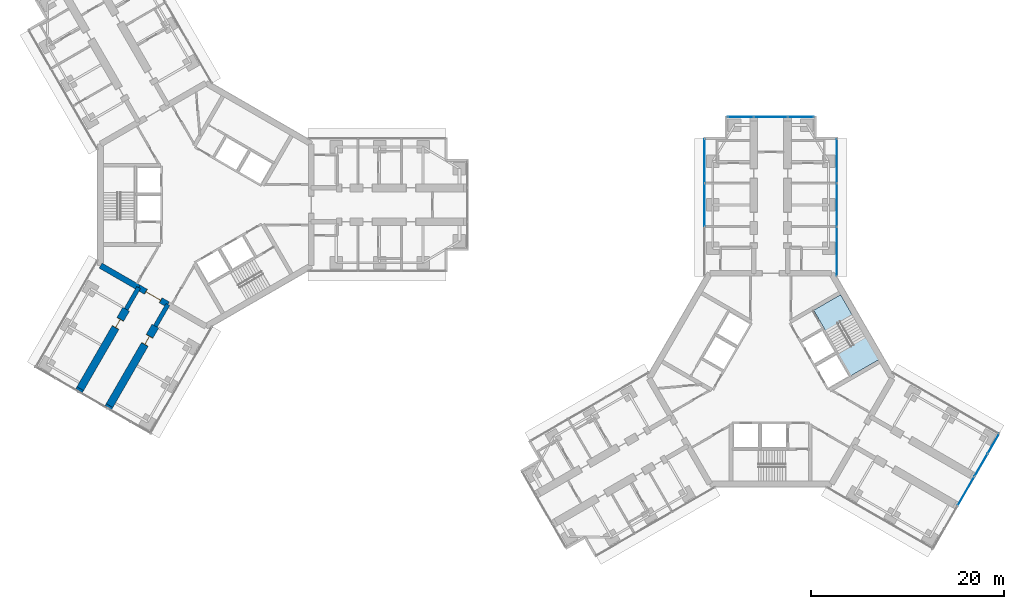
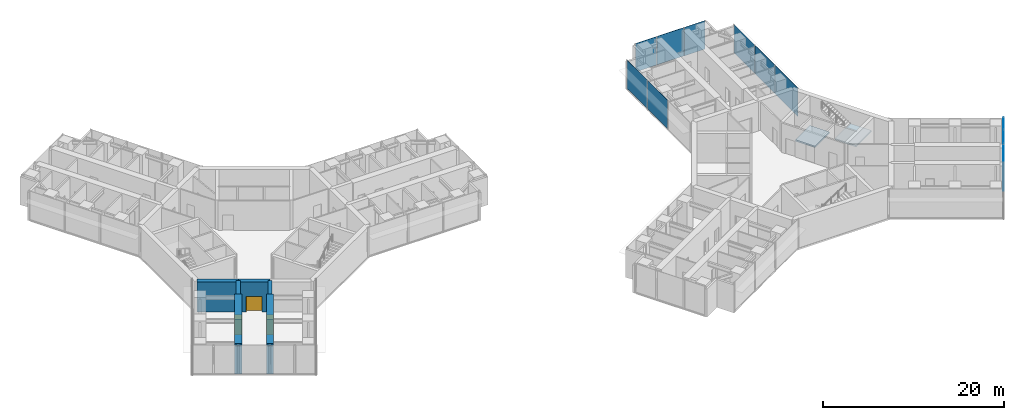
# One storey, part 14 of 22: 11 plates, 8 walls, 3 doors, 2 slabs, 3 openings, 5 elements without a shape of their own.
"""IFC4 building model written with IfcOpenShell, lengths in metres."""

from ifc_helpers import new_model, si_unit, direction, frame, frame_2d, origin, origin_2d, place, context, subcontext, project, spatial, polyline, rectangle, outline, extrude, material, layer, layer_set, type_object, element, fill, aggregate, save


model = new_model("IFC4")

# Units and contexts
model_context = context("Model", 3, precision=1e-05, world=origin(), true_north=direction((0.0, 1.0)))
body_context = subcontext(model_context, "Body", "Model", "MODEL_VIEW")
ifc_project = project(units=[si_unit("LENGTHUNIT", "METRE"), si_unit("AREAUNIT", "SQUARE_METRE"), si_unit("VOLUMEUNIT", "CUBIC_METRE"), si_unit("PLANEANGLEUNIT", "RADIAN"), si_unit("MASSUNIT", "GRAM", prefix="KILO")], contexts=[model_context])

# Site, building, storey
site_placement = place(None, origin())
site = spatial("IfcSite", under=ifc_project, at=site_placement, CompositionType="ELEMENT")
building_placement = place(site_placement, origin())
building = spatial("IfcBuilding", under=site, at=building_placement, Name="Upepo Twin Towers", CompositionType="ELEMENT")
storey_placement = place(building_placement, frame((0.0, 0.0, 133.5)))
storey = spatial("IfcBuildingStorey", under=building, at=storey_placement, Name="L32", CompositionType="ELEMENT", Elevation=133.5)

# Curtain wall, plates
ifc_material_1 = material(Name="Aluminium and fritted glass", Category="aluminium")
curtain_wall_type = type_object("IfcCurtainWallType", Name="Tower curtain wall TW2, fritted glass", PredefinedType="NOTDEFINED", material=ifc_material_1)
curtain_wall_1_placement = place(storey_placement, origin())
curtain_wall_1 = element("IfcCurtainWall", 1, at=curtain_wall_1_placement, inside=storey, type_object=curtain_wall_type, Name="T2 L32 wing A flank L curtain wall", PredefinedType="NOTDEFINED")
ifc_material_2 = material(Name="Ceramic-fritted laminated glass", Category="glass")
ifc_layer_1 = layer(ifc_material_2, 0.031982421875)
ifc_layer_set_1 = layer_set([ifc_layer_1], Name="Fritted glass panel, 40 per cent dot frit, 32 mm double glazed")
plate_type_1 = type_object("IfcPlateType", Name="Fritted glass panel, 40 per cent dot frit, 32 mm double glazed", PredefinedType="CURTAIN_PANEL", material=ifc_layer_set_1)
plate_1_placement = place(storey_placement, frame((51.64990234375, 0.0, 0.14990234375), z_axis=(0.0, 0.0, 1.0), x_axis=(0.0, 1.0, 0.0)))
plate_1 = element("IfcPlate", 2, at=plate_1_placement, type_object=plate_type_1, Name="T2 L32 wing A flank L curtain wall panel 2", PredefinedType="CURTAIN_PANEL", context=body_context, shape_type="SweptSolid", body=[
    extrude(rectangle(XDim=4.43505859375, YDim=0.031982421875, at=origin_2d()), origin(), (0.0, 0.0, 1.0), 3.85009765625),
])
plate_2_placement = place(storey_placement, frame((51.64990234375, 4.53369140625, 0.14990234375), z_axis=(0.0, 0.0, 1.0), x_axis=(0.0, 1.0, 0.0)))
plate_2 = element("IfcPlate", 3, at=plate_2_placement, type_object=plate_type_1, Name="T2 L32 wing A flank L curtain wall panel 3", PredefinedType="CURTAIN_PANEL", context=body_context, shape_type="SweptSolid", body=[
    extrude(rectangle(XDim=4.50244140625, YDim=0.031982421875, at=origin_2d()), origin(), (0.0, 0.0, 1.0), 3.85009765625),
])
aggregate(curtain_wall_1, [plate_1, plate_2])

curtain_wall_2_placement = place(storey_placement, origin())
curtain_wall_2 = element("IfcCurtainWall", 4, at=curtain_wall_2_placement, inside=storey, type_object=curtain_wall_type, Name="T2 L32 wing A flank R curtain wall", PredefinedType="NOTDEFINED")
plate_3_placement = place(storey_placement, frame((65.35009765625, 4.53369140625, 0.14990234375), z_axis=(0.0, 0.0, 1.0), x_axis=(0.0, -1.0, 0.0)))
plate_3 = element("IfcPlate", 5, at=plate_3_placement, type_object=plate_type_1, Name="T2 L32 wing A flank R curtain wall panel 1", PredefinedType="CURTAIN_PANEL", context=body_context, shape_type="SweptSolid", body=[
    extrude(rectangle(XDim=4.50244140625, YDim=0.031982421875, at=origin_2d()), origin(), (0.0, 0.0, 1.0), 3.85009765625),
])
plate_4_placement = place(storey_placement, frame((65.35009765625, 0.0, 0.14990234375), z_axis=(0.0, 0.0, 1.0), x_axis=(0.0, -1.0, 0.0)))
plate_4 = element("IfcPlate", 6, at=plate_4_placement, type_object=plate_type_1, Name="T2 L32 wing A flank R curtain wall panel 2", PredefinedType="CURTAIN_PANEL", context=body_context, shape_type="SweptSolid", body=[
    extrude(rectangle(XDim=4.43505859375, YDim=0.031982421875, at=origin_2d()), origin(), (0.0, 0.0, 1.0), 3.85009765625),
])
plate_5_placement = place(storey_placement, frame((65.35009765625, -4.815185546875, 0.14990234375), z_axis=(0.0, 0.0, 1.0), x_axis=(0.0, -1.0, 0.0)))
plate_5 = element("IfcPlate", 7, at=plate_5_placement, type_object=plate_type_1, Name="T2 L32 wing A flank R curtain wall panel 3", PredefinedType="CURTAIN_PANEL", context=body_context, shape_type="SweptSolid", body=[
    extrude(rectangle(XDim=5.0654296875, YDim=0.031982421875, at=origin_2d()), origin(), (0.0, 0.0, 1.0), 3.85009765625),
])
aggregate(curtain_wall_2, [plate_3, plate_4, plate_5])

# Curtain wall, plate
curtain_wall_3_placement = place(storey_placement, origin())
curtain_wall_3 = element("IfcCurtainWall", 8, at=curtain_wall_3_placement, inside=storey, type_object=curtain_wall_type, Name="T2 L32 wing A nose curtain wall", PredefinedType="NOTDEFINED")
plate_6_placement = place(storey_placement, frame((58.5, 9.10009765625, 0.14990234375), z_axis=(0.0, 0.0, 1.0), x_axis=(-1.0, 0.0, 0.0)))
plate_6 = element("IfcPlate", 9, at=plate_6_placement, type_object=plate_type_1, Name="T2 L32 wing A nose curtain wall panel 2", PredefinedType="CURTAIN_PANEL", context=body_context, shape_type="SweptSolid", body=[
    extrude(rectangle(XDim=3.43505859375, YDim=0.031982421875, at=origin_2d()), origin(), (0.0, 0.0, 1.0), 3.85009765625),
])

# Curtain wall, plates
curtain_wall_4_placement = place(storey_placement, origin())
curtain_wall_4 = element("IfcCurtainWall", 10, at=curtain_wall_4_placement, inside=storey, type_object=curtain_wall_type, Name="T2 L32 wing C nose curtain wall", PredefinedType="NOTDEFINED")
plate_7_placement = place(storey_placement, frame((78.7216796875, -29.675048828125, 0.14990234375), z_axis=(0.0, 0.0, 1.0), x_axis=(0.499999972355, 0.866025419745, 0.0)))
plate_7 = element("IfcPlate", 11, at=plate_7_placement, type_object=plate_type_1, Name="T2 L32 wing C nose curtain wall panel 3", PredefinedType="CURTAIN_PANEL", context=body_context, shape_type="SweptSolid", body=[
    extrude(rectangle(XDim=3.43505859375, YDim=0.031982421875, at=origin_2d()), origin(), (0.0, 0.0, 1.0), 3.85009765625),
])
plate_8_placement = place(storey_placement, frame((80.2841796875, -26.96875, 0.14990234375), z_axis=(0.0, 0.0, 1.0), x_axis=(0.499999972355, 0.866025419745, 0.0)))
plate_8 = element("IfcPlate", 12, at=plate_8_placement, type_object=plate_type_1, Name="T2 L32 wing C nose curtain wall panel 4", PredefinedType="CURTAIN_PANEL", context=body_context, shape_type="SweptSolid", body=[
    extrude(rectangle(XDim=2.68505859375, YDim=0.031982421875, at=origin_2d()), origin(), (0.0, 0.0, 1.0), 3.85009765625),
])

# Plate
ifc_material_3 = material(Name="Clear laminated glass in opening sash", Category="glass")
ifc_layer_2 = layer(ifc_material_3, 0.031982421875)
ifc_layer_set_2 = layer_set([ifc_layer_2], Name="Operable glass panel, 32 mm double glazed")
plate_type_2 = type_object("IfcPlateType", Name="Operable glass panel, 32 mm double glazed", PredefinedType="CURTAIN_PANEL", material=ifc_layer_set_2)
plate_9_placement = place(storey_placement, frame((61.608642578125, 9.10009765625, 0.14990234375), z_axis=(0.0, 0.0, 1.0), x_axis=(-1.0, 0.0, 0.0)))
plate_9 = element("IfcPlate", 13, at=plate_9_placement, type_object=plate_type_2, Name="T2 L32 wing A nose curtain wall panel 1", PredefinedType="CURTAIN_PANEL", context=body_context, shape_type="SweptSolid", body=[
    extrude(rectangle(XDim=2.652587890625, YDim=0.031982421875, at=origin_2d()), origin(), (0.0, 0.0, 1.0), 3.85009765625),
])

plate_10_placement = place(storey_placement, frame((55.391357421875, 9.10009765625, 0.14990234375), z_axis=(0.0, 0.0, 1.0), x_axis=(-1.0, 0.0, 0.0)))
plate_10 = element("IfcPlate", 14, at=plate_10_placement, type_object=plate_type_2, Name="T2 L32 wing A nose curtain wall panel 3", PredefinedType="CURTAIN_PANEL", context=body_context, shape_type="SweptSolid", body=[
    extrude(rectangle(XDim=2.652587890625, YDim=0.031982421875, at=origin_2d()), origin(), (0.0, 0.0, 1.0), 3.85009765625),
])

aggregate(curtain_wall_3, [plate_9, plate_6, plate_10])

plate_11_placement = place(storey_placement, frame((81.576171875, -24.73095703125, 0.14990234375), z_axis=(0.0, 0.0, 1.0), x_axis=(0.499999972355, 0.866025419745, 0.0)))
plate_11 = element("IfcPlate", 15, at=plate_11_placement, type_object=plate_type_2, Name="T2 L32 wing C nose curtain wall panel 5", PredefinedType="CURTAIN_PANEL", context=body_context, shape_type="SweptSolid", body=[
    extrude(rectangle(XDim=2.3525390625, YDim=0.031982421875, at=origin_2d()), origin(), (0.0, 0.0, 1.0), 3.85009765625),
])

aggregate(curtain_wall_4, [plate_7, plate_8, plate_11])

# Stair, slabs
ifc_material_4 = material(Name="Concrete C40/50", Category="concrete")
stair_type = type_object("IfcStairType", Name="Core stair, two flights", PredefinedType="HALF_TURN_STAIR", material=ifc_material_4)
stair_placement = place(storey_placement, origin())
stair = element("IfcStair", 16, at=stair_placement, inside=storey, type_object=stair_type, Name="T2 stair S2 L32", PredefinedType="HALF_TURN_STAIR")
ifc_material_5 = material(Name="Concrete C40/50", Category="concrete")
ifc_layer_3 = layer(ifc_material_5, 0.199951171875)
ifc_layer_set_3 = layer_set([ifc_layer_3], Name="Concrete C40/50")
slab_type = type_object("IfcSlabType", Name="Stair landing 200 RC", PredefinedType="LANDING", material=ifc_layer_set_3)
slab_1_placement = place(storey_placement, frame((0.0, 0.0, -0.199951171875)))
slab_1 = element("IfcSlab", 17, at=slab_1_placement, type_object=slab_type, Name="Stair S2 landing 1", PredefinedType="LANDING", context=body_context, shape_type="SweptSolid", body=[
    extrude(outline(polyline([(64.198486328125, -13.0703125), (66.97705078125, -11.466064453125), (65.737060546875, -9.318359375), (62.95849609375, -10.922607421875), (64.198486328125, -13.0703125)])), origin(), (0.0, 0.0, 1.0), 0.199951171875),
])
slab_2_placement = place(storey_placement, frame((0.0, 0.0, 1.800048828125)))
slab_2 = element("IfcSlab", 18, at=slab_2_placement, type_object=slab_type, Name="Stair S2 landing 2", PredefinedType="LANDING", context=body_context, shape_type="SweptSolid", body=[
    extrude(outline(polyline([(66.77197265625, -17.7275390625), (69.7236328125, -16.0234375), (68.36376953125, -13.667724609375), (65.411865234375, -15.371826171875), (66.77197265625, -17.7275390625)])), origin(), (0.0, 0.0, 1.0), 0.199951171875),
])
aggregate(stair, [slab_1, slab_2])

# Walls
ifc_material_6 = material(Name="Dense concrete blockwork", Category="masonry")
ifc_layer_4 = layer(ifc_material_6, 0.800048828125)
ifc_layer_set_4 = layer_set([ifc_layer_4], Name="Buttress closer 800, blockwork with fire-stopping to the curtain wall")
wall_type_1 = type_object("IfcWallType", Name="Buttress closer 800, blockwork with fire-stopping to the curtain wall", PredefinedType="PARTITIONING", material=ifc_layer_set_4)
for number, where, z_axis, x_axis, name in (
    (19, (-9.984375, -20.793701171875, 0.0), (0.0, 0.0, 1.0), (-0.500342721131, -0.865827443207, 0.0), "T1 L32 wing C buttress closer L"),
    (20, (-13.015625, -19.043701171875, 0.0), (0.0, 0.0, 1.0), (-0.500342721131, -0.865827443207, 0.0), "T1 L32 wing C buttress closer R"),
):
    element("IfcWall", number, at=place(storey_placement, frame(where, z_axis=z_axis, x_axis=x_axis)), inside=storey, type_object=wall_type_1, Name=name, PredefinedType="PARTITIONING", context=body_context, shape_type="SweptSolid", body=[
        extrude(rectangle(XDim=0.249755859375, YDim=0.800048828125, at=frame_2d((0.125, 0.0))), origin(), (0.0, 0.0, 1.0), 3.800048828125),
    ])
ifc_material_7 = material(Name="Concrete C60/75", Category="concrete")
ifc_layer_5 = layer(ifc_material_7, 0.449951171875)
ifc_layer_set_5 = layer_set([ifc_layer_5], Name="Concrete C60/75")
wall_type_2 = type_object("IfcWallType", Name="Buttress wall 450 RC", PredefinedType="SHEAR", material=ifc_layer_set_5)
for number, where, z_axis, x_axis, name in (
    (21, (-3.938720703125, -10.32177734375, 0.0), (0.0, 0.0, 1.0), (-0.499918158782, -0.866072649678, 0.0), "T1 wing C buttress wall L"),
    (22, (-6.9697265625, -8.57177734375, 0.0), (0.0, 0.0, 1.0), (-0.499988811324, -0.866031863473, 0.0), "T1 wing C buttress wall R"),
):
    element("IfcWall", number, at=place(storey_placement, frame(where, z_axis=z_axis, x_axis=x_axis)), inside=storey, type_object=wall_type_2, Name=name, PredefinedType="SHEAR", context=body_context, shape_type="SweptSolid", body=[
        extrude(rectangle(XDim=2.591796875, YDim=0.449951171875, at=frame_2d((1.2958984375, 0.0))), origin(), (0.0, 0.0, 1.0), 4.0),
    ])

# Wall, opening, door
ifc_material_8 = material(Name="Concrete C60/75", Category="concrete")
ifc_layer_6 = layer(ifc_material_8, 0.800048828125)
ifc_layer_set_6 = layer_set([ifc_layer_6], Name="Concrete C60/75")
wall_type_3 = type_object("IfcWallType", Name="Buttress wall 800 RC", PredefinedType="SHEAR", material=ifc_layer_set_6)
wall_1_placement = place(storey_placement, frame((-5.234375, -12.56640625, 0.0), z_axis=(0.0, 0.0, 1.0), x_axis=(-0.499997557548, -0.86602681393, 0.0)))
wall_1 = element("IfcWall", 23, at=wall_1_placement, inside=storey, type_object=wall_type_3, Name="T1 wing C buttress wall L part 2", PredefinedType="SHEAR", context=body_context, shape_type="SweptSolid", body=[
    extrude(rectangle(XDim=9.5, YDim=0.800048828125, at=frame_2d((4.75, 0.0))), origin(), (0.0, 0.0, 1.0), 4.0),
])
opening_1_placement = place(wall_1_placement, frame((1.199951171875, 0.0, 0.0)))
opening_1 = element("IfcOpeningElement", 24, at=opening_1_placement, cuts=wall_1, Name="Opening D1", PredefinedType="OPENING", context=body_context, shape_type="SweptSolid", body=[
    extrude(rectangle(XDim=1.0, YDim=2.10009765625, at=frame_2d((0.5, 1.050048828125))), frame((0.0, 0.409912109375, 0.0), z_axis=(0.0, -1.0, 0.0), x_axis=(1.0, 0.0, 0.0)), (0.0, 0.0, 1.0), 0.820068359375),
])
ifc_material_9 = material(Name="Timber doorset", Category="wood")
door_type_1 = type_object("IfcDoorType", Name="Room door 1000 FD30", OperationType="SINGLE_SWING_LEFT", PredefinedType="DOOR", material=ifc_material_9)
door_1_placement = place(opening_1_placement, origin())
door_1 = element("IfcDoor", 25, at=door_1_placement, inside=storey, type_object=door_type_1, Name="T1 L32 postgraduate office door", OperationType="SINGLE_SWING_LEFT", OverallHeight=2.10009765625, OverallWidth=1.0, PredefinedType="DOOR", context=body_context, shape_type="SweptSolid", body=[
    extrude(rectangle(XDim=0.92, YDim=2.06009765625, at=frame_2d((0.5, 1.030029296875))), frame((0.0, 0.02490234375, 0.0), z_axis=(0.0, -1.0, 0.0), x_axis=(1.0, 0.0, 0.0)), (0.0, 0.0, 1.0), 0.050048828125),
    extrude(rectangle(XDim=0.04, YDim=2.10009765625, at=frame_2d((0.02001953125, 1.050048828125))), frame((0.0, 0.39990234375, 0.0), z_axis=(0.0, -1.0, 0.0), x_axis=(1.0, 0.0, 0.0)), (0.0, 0.0, 1.0), 0.799560546875),
    extrude(rectangle(XDim=0.04, YDim=2.10009765625, at=frame_2d((0.97998046875, 1.050048828125))), frame((0.0, 0.39990234375, 0.0), z_axis=(0.0, -1.0, 0.0), x_axis=(1.0, 0.0, 0.0)), (0.0, 0.0, 1.0), 0.799560546875),
    extrude(rectangle(XDim=0.92, YDim=0.04, at=frame_2d((0.5, 2.080078125))), frame((0.0, 0.39990234375, 0.0), z_axis=(0.0, -1.0, 0.0), x_axis=(1.0, 0.0, 0.0)), (0.0, 0.0, 1.0), 0.799560546875),
])
fill(opening_1, door_1)

wall_2_placement = place(storey_placement, frame((-8.265625, -10.81640625, 0.0), z_axis=(0.0, 0.0, 1.0), x_axis=(-0.499997557548, -0.86602681393, 0.0)))
wall_2 = element("IfcWall", 26, at=wall_2_placement, inside=storey, type_object=wall_type_3, Name="T1 wing C buttress wall R part 2", PredefinedType="SHEAR", context=body_context, shape_type="SweptSolid", body=[
    extrude(rectangle(XDim=9.5, YDim=0.800048828125, at=frame_2d((4.75, 0.0))), origin(), (0.0, 0.0, 1.0), 4.0),
])
opening_2_placement = place(wall_2_placement, frame((1.199951171875, 0.0, 0.0)))
opening_2 = element("IfcOpeningElement", 27, at=opening_2_placement, cuts=wall_2, Name="Opening D1", PredefinedType="OPENING", context=body_context, shape_type="SweptSolid", body=[
    extrude(rectangle(XDim=1.0, YDim=2.10009765625, at=frame_2d((0.5, 1.050048828125))), frame((0.0, 0.409912109375, 0.0), z_axis=(0.0, -1.0, 0.0), x_axis=(1.0, 0.0, 0.0)), (0.0, 0.0, 1.0), 0.820068359375),
])
door_2_placement = place(opening_2_placement, origin())
door_2 = element("IfcDoor", 28, at=door_2_placement, inside=storey, type_object=door_type_1, Name="T1 L32 postgraduate office door", OperationType="SINGLE_SWING_LEFT", OverallHeight=2.10009765625, OverallWidth=1.0, PredefinedType="DOOR", context=body_context, shape_type="SweptSolid", body=[
    extrude(rectangle(XDim=0.92, YDim=2.06009765625, at=frame_2d((0.5, 1.030029296875))), frame((0.0, 0.02490234375, 0.0), z_axis=(0.0, -1.0, 0.0), x_axis=(1.0, 0.0, 0.0)), (0.0, 0.0, 1.0), 0.050048828125),
    extrude(rectangle(XDim=0.04, YDim=2.10009765625, at=frame_2d((0.02001953125, 1.050048828125))), frame((0.0, 0.39990234375, 0.0), z_axis=(0.0, -1.0, 0.0), x_axis=(1.0, 0.0, 0.0)), (0.0, 0.0, 1.0), 0.799560546875),
    extrude(rectangle(XDim=0.04, YDim=2.10009765625, at=frame_2d((0.97998046875, 1.050048828125))), frame((0.0, 0.39990234375, 0.0), z_axis=(0.0, -1.0, 0.0), x_axis=(1.0, 0.0, 0.0)), (0.0, 0.0, 1.0), 0.799560546875),
    extrude(rectangle(XDim=0.92, YDim=0.04, at=frame_2d((0.5, 2.080078125))), frame((0.0, 0.39990234375, 0.0), z_axis=(0.0, -1.0, 0.0), x_axis=(1.0, 0.0, 0.0)), (0.0, 0.0, 1.0), 0.799560546875),
])
fill(opening_2, door_2)

# Wall
ifc_material_10 = material(Name="Concrete C60/75", Category="concrete")
ifc_layer_7 = layer(ifc_material_10, 0.60009765625)
ifc_layer_set_7 = layer_set([ifc_layer_7], Name="Concrete C60/75")
wall_type_4 = type_object("IfcWallType", Name="Core wall 600 RC", PredefinedType="SHEAR", material=ifc_layer_set_7)
wall_3_placement = place(storey_placement, frame((-10.908447265625, -6.2978515625, 0.0), z_axis=(0.0, 0.0, 1.0), x_axis=(0.866034513004, -0.499984222037, 0.0)))
element("IfcWall", 29, at=wall_3_placement, inside=storey, type_object=wall_type_4, Name="T1 core wall 240 R", PredefinedType="SHEAR", context=body_context, shape_type="SweptSolid", body=[
    extrude(rectangle(XDim=4.548095703125, YDim=0.60009765625, at=frame_2d((2.27392578125, 0.0))), origin(), (0.0, 0.0, 1.0), 4.0),
])

# Wall, opening, door
wall_4_placement = place(storey_placement, frame((-6.9697265625, -8.57177734375, 0.0), z_axis=(0.0, 0.0, 1.0), x_axis=(0.866019471182, -0.500010275428, 0.0)))
wall_4 = element("IfcWall", 30, at=wall_4_placement, inside=storey, type_object=wall_type_4, Name="T1 core wall 240", PredefinedType="SHEAR", context=body_context, shape_type="SweptSolid", body=[
    extrude(rectangle(XDim=3.5, YDim=0.60009765625, at=frame_2d((1.75, 0.0))), origin(), (0.0, 0.0, 1.0), 4.0),
])
opening_3_placement = place(wall_4_placement, frame((0.85009765625, 0.0, 0.0)))
opening_3 = element("IfcOpeningElement", 31, at=opening_3_placement, cuts=wall_4, Name="Opening D2", PredefinedType="OPENING", context=body_context, shape_type="SweptSolid", body=[
    extrude(rectangle(XDim=1.800048828125, YDim=2.10009765625, at=frame_2d((0.89990234375, 1.050048828125))), frame((0.0, 0.31005859375, 0.0), z_axis=(0.0, -1.0, 0.0), x_axis=(1.0, 0.0, 0.0)), (0.0, 0.0, 1.0), 0.6201171875),
])
ifc_material_11 = material(Name="Timber doorset", Category="wood")
door_type_2 = type_object("IfcDoorType", Name="Corridor double door 1800 FD60", OperationType="DOUBLE_DOOR_DOUBLE_SWING", PredefinedType="DOOR", material=ifc_material_11)
door_3_placement = place(opening_3_placement, origin())
door_3 = element("IfcDoor", 32, at=door_3_placement, inside=storey, type_object=door_type_2, Name="T1 L32 wing C corridor door", OperationType="DOUBLE_DOOR_DOUBLE_SWING", OverallHeight=2.10009765625, OverallWidth=1.800048828125, PredefinedType="DOOR", context=body_context, shape_type="SweptSolid", body=[
    extrude(rectangle(XDim=1.720048828125, YDim=2.06009765625, at=frame_2d((0.89990234375, 1.030029296875))), frame((0.0, 0.02490234375, 0.0), z_axis=(0.0, -1.0, 0.0), x_axis=(1.0, 0.0, 0.0)), (0.0, 0.0, 1.0), 0.050048828125),
    extrude(rectangle(XDim=0.04, YDim=2.10009765625, at=frame_2d((0.02001953125, 1.050048828125))), frame((0.0, 0.2998046875, 0.0), z_axis=(0.0, -1.0, 0.0), x_axis=(1.0, 0.0, 0.0)), (0.0, 0.0, 1.0), 0.599609375),
    extrude(rectangle(XDim=0.04, YDim=2.10009765625, at=frame_2d((1.780029296875, 1.050048828125))), frame((0.0, 0.2998046875, 0.0), z_axis=(0.0, -1.0, 0.0), x_axis=(1.0, 0.0, 0.0)), (0.0, 0.0, 1.0), 0.599609375),
    extrude(rectangle(XDim=1.720048828125, YDim=0.04, at=frame_2d((0.89990234375, 2.080078125))), frame((0.0, 0.2998046875, 0.0), z_axis=(0.0, -1.0, 0.0), x_axis=(1.0, 0.0, 0.0)), (0.0, 0.0, 1.0), 0.599609375),
])
fill(opening_3, door_3)

save(model, "model.ifc")
